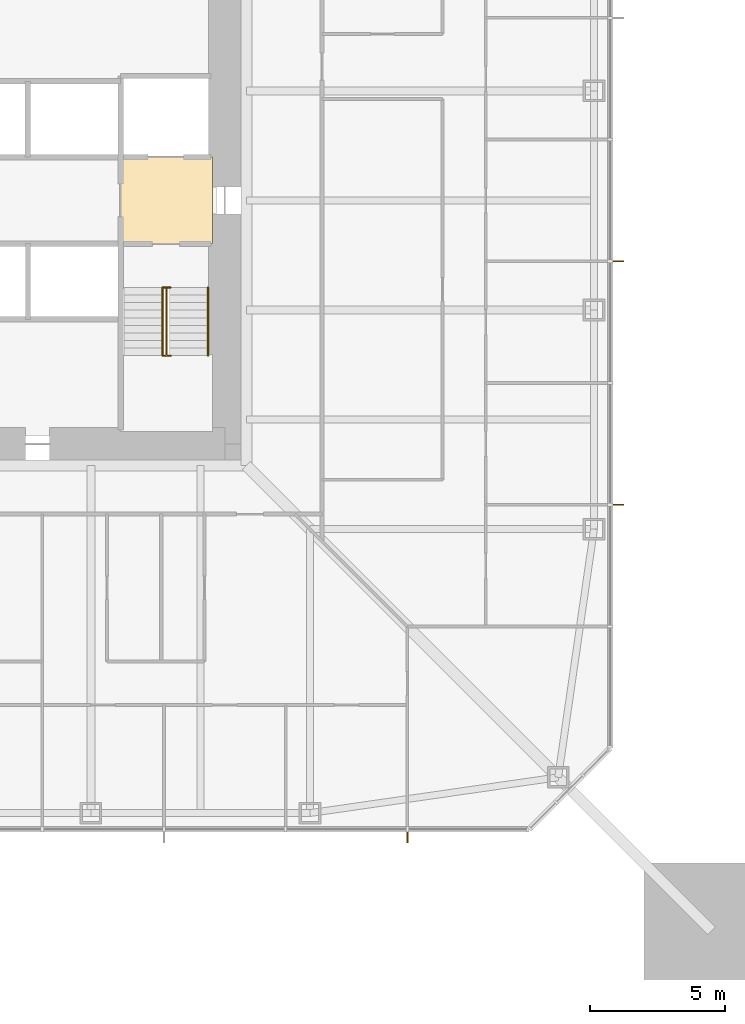
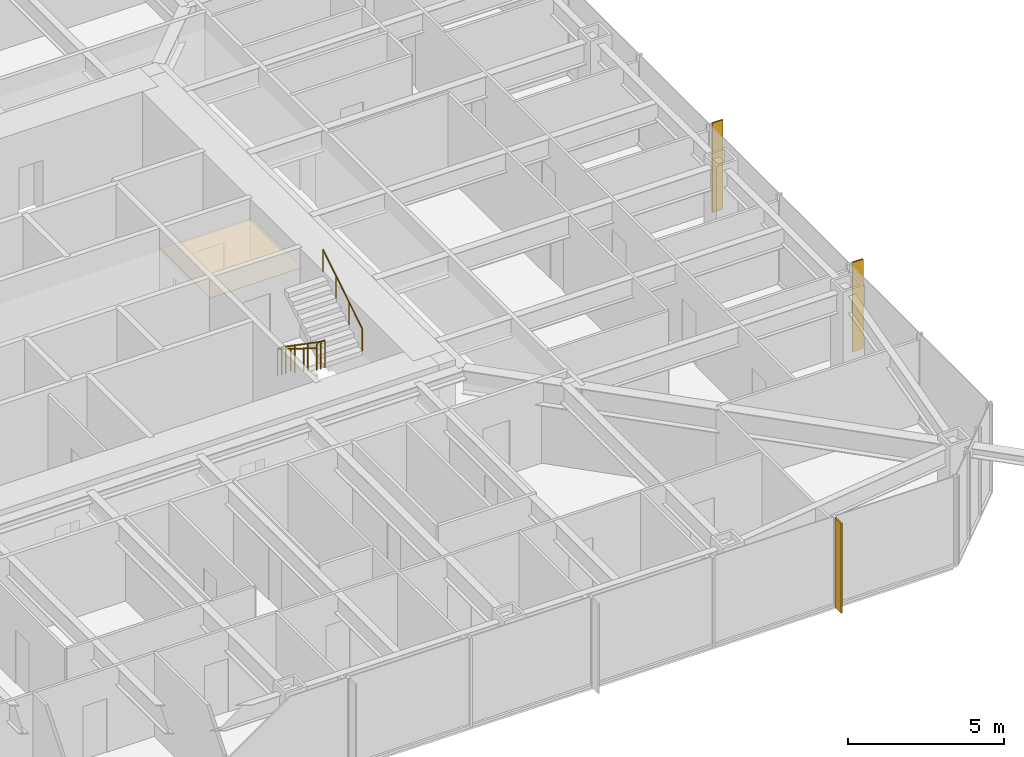
# One storey, part 24 of 26: 3 railings, 3 shading devices, 1 covering.
"""IFC4 building model written with IfcOpenShell, lengths in metres."""

from ifc_helpers import new_model, si_unit, direction, frame, origin, origin_2d, place, context, subcontext, project, spatial, polyline, rectangle, circle, outline, extrude, material, layer, layer_set, constituent, constituent_set, type_object, element, save


model = new_model("IFC4")

# Units and contexts
model_context = context("Model", 3, precision=1e-05, world=origin(), true_north=direction((0.0, 1.0)))
body_context = subcontext(model_context, "Body", "Model", "MODEL_VIEW")
ifc_project = project(units=[si_unit("LENGTHUNIT", "METRE"), si_unit("AREAUNIT", "SQUARE_METRE"), si_unit("VOLUMEUNIT", "CUBIC_METRE"), si_unit("PLANEANGLEUNIT", "RADIAN"), si_unit("MASSUNIT", "GRAM", prefix="KILO")], contexts=[model_context])

# Site, building, storey
site_placement = place(None, origin())
site = spatial("IfcSite", under=ifc_project, at=site_placement, CompositionType="ELEMENT")
building_placement = place(site_placement, origin())
building = spatial("IfcBuilding", under=site, at=building_placement, Name="Iwan Alto Co-Living Towers", CompositionType="ELEMENT")
storey_placement = place(building_placement, frame((0.0, 0.0, 67.5)))
storey = spatial("IfcBuildingStorey", under=building, at=storey_placement, Name="L18", CompositionType="ELEMENT", Elevation=67.5)

# Covering
ifc_material_1 = material(Name="Mineral fibre acoustic tiles on steel grid", Category="steel")
ifc_layer_1 = layer(ifc_material_1, 0.02001953125)
ifc_layer_set_1 = layer_set([ifc_layer_1], Name="ACOUSTIC TILE CEILING 20")
covering_type = type_object("IfcCoveringType", Name="ACOUSTIC TILE CEILING 20", PredefinedType="CEILING", material=ifc_layer_set_1)
covering_placement = place(storey_placement, frame((0.0, 0.0, 2.60009765625)))
element("IfcCovering", 1, at=covering_placement, inside=storey, type_object=covering_type, Name="Ceiling Firefighting lobby L18", PredefinedType="CEILING", context=body_context, shape_type="SweptSolid", body=[
    extrude(outline(polyline([(5.14990234375, -1.60009765625), (5.14990234375, 1.60009765625), (8.550048828125, 1.60009765625), (8.550048828125, -1.60009765625), (5.14990234375, -1.60009765625)])), origin(), (0.0, 0.0, 1.0), 0.02001953125),
])

# Shading devices
ifc_material_2 = material(Name="Aluminium 6063-T6 bronze anodised", Category="aluminium")
ifc_layer_2 = layer(ifc_material_2, 0.050048828125)
ifc_layer_set_2 = layer_set([ifc_layer_2], Name="BRONZE FIN 50X400")
shading_device_type = type_object("IfcShadingDeviceType", Name="BRONZE FIN 50X400", PredefinedType="USERDEFINED", material=ifc_layer_set_2)
for number, where, z_axis, x_axis, name in (
    (2, (15.75, -23.550048828125, 0.0), (0.0, 0.0, 1.0), (1.0, 0.0, 0.0), "Bronze fin L18"),
    (3, (23.550048828125, -11.25, 0.0), (0.0, 0.0, 1.0), (0.0, 1.0, 0.0), "Bronze fin L18"),
    (4, (23.550048828125, -2.25, 0.0), (0.0, 0.0, 1.0), (0.0, 1.0, 0.0), "Bronze fin L18"),
):
    element("IfcShadingDevice", number, at=place(storey_placement, frame(where, z_axis=z_axis, x_axis=x_axis)), inside=storey, type_object=shading_device_type, Name=name, ObjectType="LOUVER", PredefinedType="USERDEFINED", context=body_context, shape_type="SweptSolid", body=[
        extrude(rectangle(XDim=0.050048828125, YDim=0.39990234375, at=origin_2d()), origin(), (0.0, 0.0, 1.0), 3.5),
    ])

# Railings
ifc_material_3 = material(Name="Steel ASTM A500 Gr C", Category="steel")
ifc_constituent_1 = constituent(ifc_material_3, Name="Rails and posts", Category="Framing")
ifc_material_4 = material(Name="Steel ASTM A36", Category="steel")
ifc_constituent_2 = constituent(ifc_material_4, Name="Bar infill", Category="Infill")
ifc_constituent_set = constituent_set(constituents=[ifc_constituent_1, ifc_constituent_2], Name="STAIR GUARD 1100")
railing_type_1 = type_object("IfcRailingType", Name="STAIR GUARD 1100", PredefinedType="GUARDRAIL", material=ifc_constituent_set)
railing_1_placement = place(storey_placement, frame((6.85009765625, -3.219970703125, 0.0)))
element("IfcRailing", 5, at=railing_1_placement, inside=storey, type_object=railing_type_1, Name="Stair T1-S2 well guard L18", PredefinedType="GUARDRAIL", context=body_context, shape_type="SweptSolid", body=[
    extrude(circle(Radius=0.02392578125, at=origin_2d()), frame((0.0, 0.0, 1.076171875), z_axis=(0.0, -0.821372036852, 0.570392826987), x_axis=(1.0, 0.0, 0.0)), (0.0, 0.0, 1.0), 3.068115234375),
    extrude(circle(Radius=0.02392578125, at=origin_2d()), frame((-0.150146484375, 0.0, 1.076171875), z_axis=(1.0, 0.0, 0.0), x_axis=(0.0, 1.0, 0.0)), (0.0, 0.0, 1.0), 0.300048828125),
    extrude(circle(Radius=0.02392578125, at=origin_2d()), frame((-0.150146484375, -2.52001953125, 2.826171875), z_axis=(1.0, 0.0, 0.0), x_axis=(0.0, 1.0, 0.0)), (0.0, 0.0, 1.0), 0.300048828125),
    extrude(circle(Radius=0.02099609375, at=origin_2d()), origin(), (0.0, 0.0, 1.0), 1.052001953125),
    extrude(circle(Radius=0.02099609375, at=origin_2d()), frame((0.0, -0.840087890625, 0.583251953125)), (0.0, 0.0, 1.0), 1.052001953125),
    extrude(circle(Radius=0.02099609375, at=origin_2d()), frame((0.0, -1.679931640625, 1.166748046875)), (0.0, 0.0, 1.0), 1.052001953125),
    extrude(circle(Radius=0.02099609375, at=origin_2d()), frame((0.0, -2.52001953125, 1.75)), (0.0, 0.0, 1.0), 1.052001953125),
    extrude(circle(Radius=0.02099609375, at=origin_2d()), frame((-0.150146484375, 0.0, 0.0)), (0.0, 0.0, 1.0), 1.052001953125),
    extrude(circle(Radius=0.02099609375, at=origin_2d()), frame((0.14990234375, 0.0, 0.0)), (0.0, 0.0, 1.0), 1.052001953125),
    extrude(circle(Radius=0.02099609375, at=origin_2d()), frame((-0.150146484375, -2.52001953125, 1.75)), (0.0, 0.0, 1.0), 1.052001953125),
    extrude(circle(Radius=0.02099609375, at=origin_2d()), frame((0.14990234375, -2.52001953125, 1.75)), (0.0, 0.0, 1.0), 1.052001953125),
])
ifc_material_5 = material(Name="Steel ASTM A500 Gr C", Category="steel")
railing_type_2 = type_object("IfcRailingType", Name="STAIR HANDRAIL 900", PredefinedType="HANDRAIL", material=ifc_material_5)
railing_2_placement = place(storey_placement, frame((6.699951171875, -3.219970703125, 0.175048828125)))
element("IfcRailing", 6, at=railing_2_placement, inside=storey, type_object=railing_type_2, Name="Stair T1-S2 handrail 1 L18", PredefinedType="HANDRAIL", context=body_context, shape_type="SweptSolid", body=[
    extrude(circle(Radius=0.02392578125, at=origin_2d()), frame((0.0, 0.0, 0.8759765625), z_axis=(0.0, -0.848007534815, 0.529984170421), x_axis=(1.0, 0.0, 0.0)), (0.0, 0.0, 1.0), 2.9716796875),
    extrude(circle(Radius=0.02099609375, at=origin_2d()), origin(), (0.0, 0.0, 1.0), 0.851806640625),
    extrude(circle(Radius=0.02099609375, at=origin_2d()), frame((0.0, -0.840087890625, 0.52490234375)), (0.0, 0.0, 1.0), 0.851806640625),
    extrude(circle(Radius=0.02099609375, at=origin_2d()), frame((0.0, -1.679931640625, 1.050048828125)), (0.0, 0.0, 1.0), 0.851806640625),
    extrude(circle(Radius=0.02099609375, at=origin_2d()), frame((0.0, -2.52001953125, 1.574951171875)), (0.0, 0.0, 1.0), 0.851806640625),
])
railing_3_placement = place(storey_placement, frame((8.3798828125, -5.739990234375, 1.925048828125)))
element("IfcRailing", 7, at=railing_3_placement, inside=storey, type_object=railing_type_2, Name="Stair T1-S2 handrail 2 L18", PredefinedType="HANDRAIL", context=body_context, shape_type="SweptSolid", body=[
    extrude(circle(Radius=0.02392578125, at=origin_2d()), frame((0.0, 0.0, 0.8759765625), z_axis=(0.0, 0.848007534815, 0.529984170421), x_axis=(-1.0, 0.0, 0.0)), (0.0, 0.0, 1.0), 2.9716796875),
    extrude(circle(Radius=0.02099609375, at=origin_2d()), origin(), (0.0, 0.0, 1.0), 0.851806640625),
    extrude(circle(Radius=0.02099609375, at=origin_2d()), frame((0.0, 0.840087890625, 0.52490234375)), (0.0, 0.0, 1.0), 0.851806640625),
    extrude(circle(Radius=0.02099609375, at=origin_2d()), frame((0.0, 1.679931640625, 1.050048828125)), (0.0, 0.0, 1.0), 0.851806640625),
    extrude(circle(Radius=0.02099609375, at=origin_2d()), frame((0.0, 2.52001953125, 1.574951171875)), (0.0, 0.0, 1.0), 0.851806640625),
])

save(model, "model.ifc")
